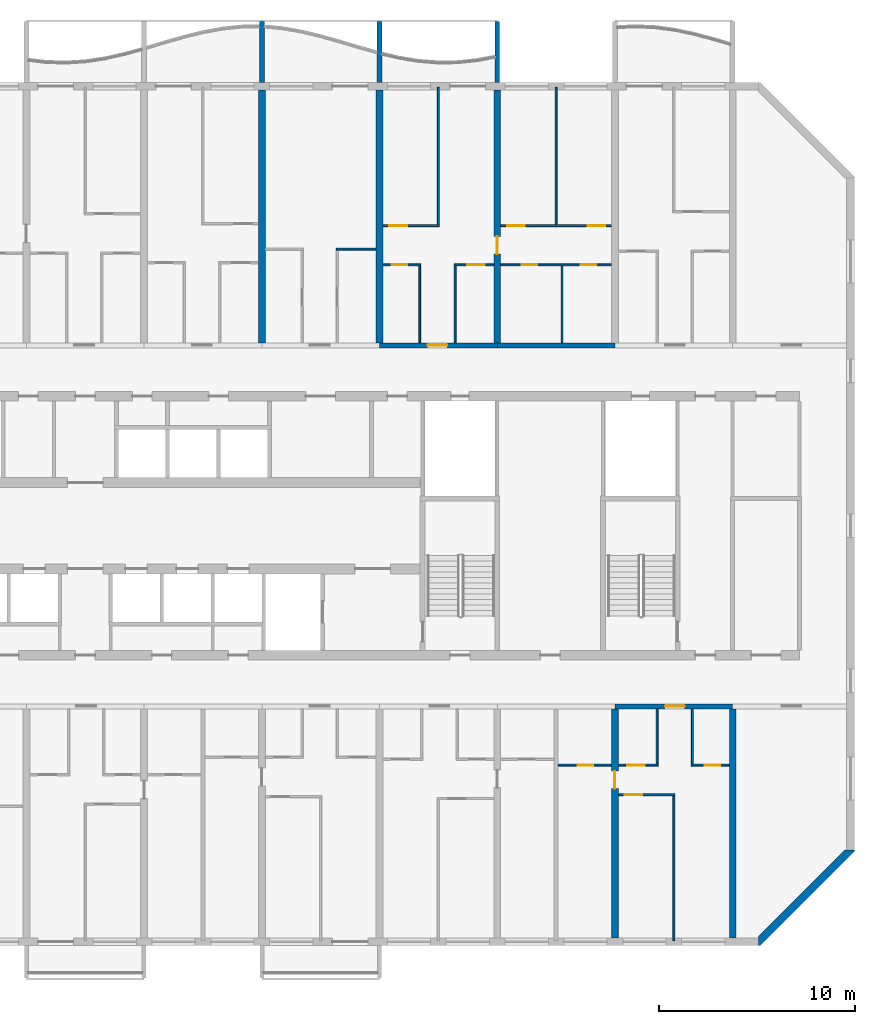
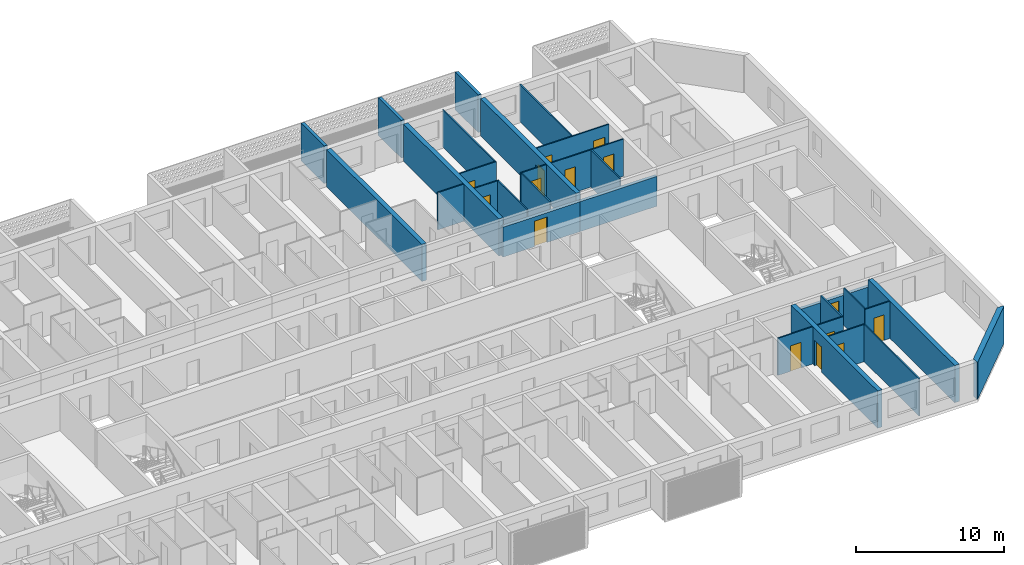
# One storey, part 12 of 24: 30 walls, 15 doors, 15 openings.
"""IFC4 building model written with IfcOpenShell, lengths in metres."""

from ifc_helpers import new_model, si_unit, direction, frame, frame_2d, origin, place, context, subcontext, project, spatial, polyline, rectangle, outline, extrude, source, transform, mapped, material, layer, layer_set, type_object, element, fill, save


model = new_model("IFC4")

# Units and contexts
model_context = context("Model", 3, precision=1e-05, world=origin(), true_north=direction((0.0, 1.0)))
body_context = subcontext(model_context, "Body", "Model", "MODEL_VIEW")
ifc_project = project(units=[si_unit("LENGTHUNIT", "METRE"), si_unit("AREAUNIT", "SQUARE_METRE"), si_unit("VOLUMEUNIT", "CUBIC_METRE"), si_unit("PLANEANGLEUNIT", "RADIAN"), si_unit("MASSUNIT", "GRAM", prefix="KILO")], contexts=[model_context])

# Site, building, storey
site_placement = place(None, origin())
site = spatial("IfcSite", under=ifc_project, at=site_placement, CompositionType="ELEMENT")
building_placement = place(site_placement, origin())
building = spatial("IfcBuilding", under=site, at=building_placement, Name="Poui Terraces", CompositionType="ELEMENT")
storey_placement = place(building_placement, frame((0.0, 0.0, 109.199951171875)))
storey = spatial("IfcBuildingStorey", under=building, at=storey_placement, Name="L30", CompositionType="ELEMENT", Elevation=109.199951171875)

# Wall, opening, door
ifc_material_1 = material(Name="Concrete 65 MPa", Category="concrete")
ifc_layer_1 = layer(ifc_material_1, 0.25)
ifc_layer_set_1 = layer_set([ifc_layer_1], Name="Concrete 65 MPa")
wall_type_1 = type_object("IfcWallType", Name="CORRIDOR WALL 250 65MPa", PredefinedType="SHEAR", material=ifc_layer_set_1)
wall_1_placement = place(storey_placement, frame((78.0, 12.0, 0.0), z_axis=(0.0, 0.0, 1.0), x_axis=(1.0, 0.0, 0.0)))
wall_1 = element("IfcWall", 1, at=wall_1_placement, inside=storey, type_object=wall_type_1, Name="CORRIDOR WALL LINE B BAY 12", PredefinedType="SHEAR", context=body_context, shape_type="SweptSolid", body=[
    extrude(rectangle(XDim=6.0, YDim=0.25, at=frame_2d((3.0, 0.0))), origin(), (0.0, 0.0, 1.0), 2.4599609375),
])
opening_1_placement = place(wall_1_placement, frame((2.550048828125, 0.0, 0.0)))
opening_1 = element("IfcOpeningElement", 2, at=opening_1_placement, cuts=wall_1, Name="Opening FD30S", PredefinedType="OPENING", context=body_context, shape_type="SweptSolid", body=[
    extrude(rectangle(XDim=1.0, YDim=2.10009765625, at=frame_2d((0.5, 1.050048828125))), frame((0.0, 0.135009765625, 0.0), z_axis=(0.0, -1.0, 0.0), x_axis=(1.0, 0.0, 0.0)), (0.0, 0.0, 1.0), 0.27001953125),
])
ifc_material_2 = material(Name="Steel fire door", Category="steel")
door_type_1 = type_object("IfcDoorType", Name="FLAT ENTRANCE DOOR 1000 X 2100", OperationType="NOTDEFINED", PredefinedType="DOOR", material=ifc_material_2)
door_1_placement = place(opening_1_placement, frame((1.0, 0.0, 0.0), z_axis=(0.0, 0.0, 1.0), x_axis=(-1.0, 0.0, 0.0)))
door_1 = element("IfcDoor", 3, at=door_1_placement, inside=storey, type_object=door_type_1, Name="FLAT ENTRANCE DOOR 117", OperationType="SINGLE_SWING_LEFT", OverallHeight=2.10009765625, OverallWidth=1.0, PredefinedType="DOOR", context=body_context, shape_type="SweptSolid", body=[
    extrude(rectangle(XDim=1.0, YDim=2.10009765625, at=frame_2d((0.5, 1.050048828125))), frame((0.0, 0.02490234375, 0.0), z_axis=(0.0, -1.0, 0.0), x_axis=(1.0, 0.0, 0.0)), (0.0, 0.0, 1.0), 0.050048828125),
])
fill(opening_1, door_1)

wall_2_placement = place(storey_placement, frame((66.0, 30.39990234375, 0.0), z_axis=(0.0, 0.0, 1.0), x_axis=(1.0, 0.0, 0.0)))
wall_2 = element("IfcWall", 4, at=wall_2_placement, inside=storey, type_object=wall_type_1, Name="CORRIDOR WALL LINE E BAY 10", PredefinedType="SHEAR", context=body_context, shape_type="SweptSolid", body=[
    extrude(rectangle(XDim=6.0, YDim=0.25, at=frame_2d((3.0, 0.0))), origin(), (0.0, 0.0, 1.0), 2.4599609375),
])
opening_2_placement = place(wall_2_placement, frame((2.449951171875, 0.0, 0.0)))
opening_2 = element("IfcOpeningElement", 5, at=opening_2_placement, cuts=wall_2, Name="Opening FD30S", PredefinedType="OPENING", context=body_context, shape_type="SweptSolid", body=[
    extrude(rectangle(XDim=1.0, YDim=2.10009765625, at=frame_2d((0.5, 1.050048828125))), frame((0.0, 0.135009765625, 0.0), z_axis=(0.0, -1.0, 0.0), x_axis=(1.0, 0.0, 0.0)), (0.0, 0.0, 1.0), 0.27001953125),
])
door_2_placement = place(opening_2_placement, origin())
door_2 = element("IfcDoor", 6, at=door_2_placement, inside=storey, type_object=door_type_1, Name="FLAT ENTRANCE DOOR 067", OperationType="SINGLE_SWING_LEFT", OverallHeight=2.10009765625, OverallWidth=1.0, PredefinedType="DOOR", context=body_context, shape_type="SweptSolid", body=[
    extrude(rectangle(XDim=1.0, YDim=2.10009765625, at=frame_2d((0.5, 1.050048828125))), frame((0.0, 0.02490234375, 0.0), z_axis=(0.0, -1.0, 0.0), x_axis=(1.0, 0.0, 0.0)), (0.0, 0.0, 1.0), 0.050048828125),
])
fill(opening_2, door_2)

# Walls
wall_3_placement = place(storey_placement, frame((72.0, 30.39990234375, 0.0), z_axis=(0.0, 0.0, 1.0), x_axis=(1.0, 0.0, 0.0)))
element("IfcWall", 7, at=wall_3_placement, inside=storey, type_object=wall_type_1, Name="CORRIDOR WALL LINE E BAY 11", PredefinedType="SHEAR", context=body_context, shape_type="SweptSolid", body=[
    extrude(rectangle(XDim=6.0, YDim=0.25, at=frame_2d((3.0, 0.0))), origin(), (0.0, 0.0, 1.0), 2.4599609375),
])
ifc_layer_2 = layer(ifc_material_1, 0.35009765625)
ifc_layer_set_2 = layer_set([ifc_layer_2], Name="Concrete 65 MPa")
wall_type_2 = type_object("IfcWallType", Name="CROSS WALL 350 65MPa", PredefinedType="SHEAR", material=ifc_layer_set_2)
for number, where, z_axis, x_axis, name in (
    (8, (60.0, 30.52490234375, 0.0), (0.0, 0.0, 1.0), (0.0, 1.0, 0.0), "CROSS WALL LINE 11 NORTH"),
    (9, (66.0, 30.52490234375, 0.0), (0.0, 0.0, 1.0), (0.0, 1.0, 0.0), "CROSS WALL LINE 12 NORTH"),
):
    element("IfcWall", number, at=place(storey_placement, frame(where, z_axis=z_axis, x_axis=x_axis)), inside=storey, type_object=wall_type_2, Name=name, PredefinedType="SHEAR", context=body_context, shape_type="SweptSolid", body=[
        extrude(rectangle(XDim=12.875, YDim=0.35009765625, at=frame_2d((6.4375, 0.0))), origin(), (0.0, 0.0, 1.0), 3.06005859375),
    ])

# Wall, opening, door
wall_4_placement = place(storey_placement, frame((72.0, 30.52490234375, 0.0), z_axis=(0.0, 0.0, 1.0), x_axis=(0.0, 1.0, 0.0)))
wall_4 = element("IfcWall", 10, at=wall_4_placement, inside=storey, type_object=wall_type_2, Name="CROSS WALL LINE 13 NORTH", PredefinedType="SHEAR", context=body_context, shape_type="SweptSolid", body=[
    extrude(rectangle(XDim=12.875, YDim=0.35009765625, at=frame_2d((6.4375, 0.0))), origin(), (0.0, 0.0, 1.0), 3.06005859375),
])
opening_3_placement = place(wall_4_placement, frame((4.52490234375, 0.0, 0.0)))
opening_3 = element("IfcOpeningElement", 11, at=opening_3_placement, cuts=wall_4, Name="Opening D90", PredefinedType="OPENING", context=body_context, shape_type="SweptSolid", body=[
    extrude(rectangle(XDim=0.89990234375, YDim=2.10009765625, at=frame_2d((0.449951171875, 1.050048828125))), frame((0.0, 0.18505859375, 0.0), z_axis=(0.0, -1.0, 0.0), x_axis=(1.0, 0.0, 0.0)), (0.0, 0.0, 1.0), 0.3701171875),
])
ifc_material_3 = material(Name="Solid core timber door", Category="wood")
door_type_2 = type_object("IfcDoorType", Name="INTERNAL DOOR 900 X 2100", OperationType="NOTDEFINED", PredefinedType="DOOR", material=ifc_material_3)
door_3_placement = place(opening_3_placement, origin())
door_3 = element("IfcDoor", 12, at=door_3_placement, inside=storey, type_object=door_type_2, Name="INTERNAL DOOR 069", OperationType="SINGLE_SWING_LEFT", OverallHeight=2.10009765625, OverallWidth=0.89990234375, PredefinedType="DOOR", context=body_context, shape_type="SweptSolid", body=[
    extrude(rectangle(XDim=0.89990234375, YDim=2.10009765625, at=frame_2d((0.449951171875, 1.050048828125))), frame((0.0, 0.02490234375, 0.0), z_axis=(0.0, -1.0, 0.0), x_axis=(1.0, 0.0, 0.0)), (0.0, 0.0, 1.0), 0.050048828125),
])
fill(opening_3, door_3)

wall_5_placement = place(storey_placement, frame((78.0, 0.199951171875, 0.0), z_axis=(0.0, 0.0, 1.0), x_axis=(0.0, 1.0, 0.0)))
wall_5 = element("IfcWall", 13, at=wall_5_placement, inside=storey, type_object=wall_type_2, Name="CROSS WALL LINE 14 SOUTH", PredefinedType="SHEAR", context=body_context, shape_type="SweptSolid", body=[
    extrude(rectangle(XDim=11.675048828125, YDim=0.35009765625, at=frame_2d((5.83740234375, 0.0))), origin(), (0.0, 0.0, 1.0), 3.06005859375),
])
opening_4_placement = place(wall_5_placement, frame((7.60009765625, 0.0, 0.0)))
opening_4 = element("IfcOpeningElement", 14, at=opening_4_placement, cuts=wall_5, Name="Opening D90", PredefinedType="OPENING", context=body_context, shape_type="SweptSolid", body=[
    extrude(rectangle(XDim=0.89990234375, YDim=2.10009765625, at=frame_2d((0.449951171875, 1.050048828125))), frame((0.0, 0.18505859375, 0.0), z_axis=(0.0, -1.0, 0.0), x_axis=(1.0, 0.0, 0.0)), (0.0, 0.0, 1.0), 0.3701171875),
])
door_4_placement = place(opening_4_placement, origin())
door_4 = element("IfcDoor", 15, at=door_4_placement, inside=storey, type_object=door_type_2, Name="INTERNAL DOOR 114", OperationType="SINGLE_SWING_RIGHT", OverallHeight=2.10009765625, OverallWidth=0.89990234375, PredefinedType="DOOR", context=body_context, shape_type="SweptSolid", body=[
    extrude(rectangle(XDim=0.89990234375, YDim=2.10009765625, at=frame_2d((0.449951171875, 1.050048828125))), frame((0.0, 0.02490234375, 0.0), z_axis=(0.0, -1.0, 0.0), x_axis=(1.0, 0.0, 0.0)), (0.0, 0.0, 1.0), 0.050048828125),
])
fill(opening_4, door_4)

# Wall
wall_6_placement = place(storey_placement, frame((84.0, 0.199951171875, 0.0), z_axis=(0.0, 0.0, 1.0), x_axis=(0.0, 1.0, 0.0)))
element("IfcWall", 16, at=wall_6_placement, inside=storey, type_object=wall_type_2, Name="CROSS WALL LINE 15 SOUTH", PredefinedType="SHEAR", context=body_context, shape_type="SweptSolid", body=[
    extrude(rectangle(XDim=11.675048828125, YDim=0.35009765625, at=frame_2d((5.83740234375, 0.0))), origin(), (0.0, 0.0, 1.0), 3.06005859375),
])

# Wall, opening, door
ifc_material_4 = material(Name="Plasterboard partition")
ifc_layer_3 = layer(ifc_material_4, 0.10009765625)
ifc_layer_set_3 = layer_set([ifc_layer_3], Name="Plasterboard partition")
wall_type_3 = type_object("IfcWallType", Name="FLAT PARTITION 100", PredefinedType="PARTITIONING", material=ifc_layer_set_3)
wall_7_placement = place(storey_placement, frame((78.18505859375, 7.5, 0.0), z_axis=(0.0, 0.0, 1.0), x_axis=(1.0, 0.0, 0.0)))
wall_7 = element("IfcWall", 17, at=wall_7_placement, inside=storey, type_object=wall_type_3, Name="FLAT PARTITION 100", PredefinedType="PARTITIONING", context=body_context, shape_type="SweptSolid", body=[
    extrude(rectangle(XDim=2.864990234375, YDim=0.10009765625, at=frame_2d((1.4326171875, 0.0))), origin(), (0.0, 0.0, 1.0), 3.06005859375),
])
opening_5_placement = place(wall_7_placement, frame((0.31494140625, 0.0, 0.0)))
opening_5 = element("IfcOpeningElement", 18, at=opening_5_placement, cuts=wall_7, Name="Opening D90", PredefinedType="OPENING", context=body_context, shape_type="SweptSolid", body=[
    extrude(rectangle(XDim=0.89990234375, YDim=2.10009765625, at=frame_2d((0.449951171875, 1.050048828125))), frame((0.0, 0.06005859375, 0.0), z_axis=(0.0, -1.0, 0.0), x_axis=(1.0, 0.0, 0.0)), (0.0, 0.0, 1.0), 0.1201171875),
])
door_5_placement = place(opening_5_placement, origin())
door_5 = element("IfcDoor", 19, at=door_5_placement, inside=storey, type_object=door_type_2, Name="INTERNAL DOOR 115", OperationType="SINGLE_SWING_RIGHT", OverallHeight=2.10009765625, OverallWidth=0.89990234375, PredefinedType="DOOR", context=body_context, shape_type="SweptSolid", body=[
    extrude(rectangle(XDim=0.89990234375, YDim=2.10009765625, at=frame_2d((0.449951171875, 1.050048828125))), frame((0.0, 0.02490234375, 0.0), z_axis=(0.0, -1.0, 0.0), x_axis=(1.0, 0.0, 0.0)), (0.0, 0.0, 1.0), 0.050048828125),
])
fill(opening_5, door_5)

wall_8_placement = place(storey_placement, frame((75.10009765625, 9.0, 0.0), z_axis=(0.0, 0.0, 1.0), x_axis=(1.0, 0.0, 0.0)))
wall_8 = element("IfcWall", 20, at=wall_8_placement, inside=storey, type_object=wall_type_3, Name="FLAT PARTITION 100", PredefinedType="PARTITIONING", context=body_context, shape_type="SweptSolid", body=[
    extrude(rectangle(XDim=2.71484375, YDim=0.10009765625, at=frame_2d((1.357421875, 0.0))), origin(), (0.0, 0.0, 1.0), 3.06005859375),
])
opening_6_placement = place(wall_8_placement, frame((1.0, 0.0, 0.0)))
opening_6 = element("IfcOpeningElement", 21, at=opening_6_placement, cuts=wall_8, Name="Opening D80", PredefinedType="OPENING", context=body_context, shape_type="SweptSolid", body=[
    extrude(rectangle(XDim=0.800048828125, YDim=2.10009765625, at=frame_2d((0.39990234375, 1.050048828125))), frame((0.0, 0.06005859375, 0.0), z_axis=(0.0, -1.0, 0.0), x_axis=(1.0, 0.0, 0.0)), (0.0, 0.0, 1.0), 0.1201171875),
])
door_type_3 = type_object("IfcDoorType", Name="BATHROOM, LAUNDRY AND STORE DOOR 800 X 2100", OperationType="NOTDEFINED", PredefinedType="DOOR", material=ifc_material_3)
door_6_placement = place(opening_6_placement, origin())
door_6 = element("IfcDoor", 22, at=door_6_placement, inside=storey, type_object=door_type_3, Name="BATHROOM, LAUNDRY AND STORE DOOR 113", OperationType="SINGLE_SWING_LEFT", OverallHeight=2.10009765625, OverallWidth=0.800048828125, PredefinedType="DOOR", context=body_context, shape_type="SweptSolid", body=[
    extrude(rectangle(XDim=0.800048828125, YDim=2.10009765625, at=frame_2d((0.39990234375, 1.050048828125))), frame((0.0, 0.02490234375, 0.0), z_axis=(0.0, -1.0, 0.0), x_axis=(1.0, 0.0, 0.0)), (0.0, 0.0, 1.0), 0.050048828125),
])
fill(opening_6, door_6)

wall_9_placement = place(storey_placement, frame((78.18505859375, 9.0, 0.0), z_axis=(0.0, 0.0, 1.0), x_axis=(1.0, 0.0, 0.0)))
wall_9 = element("IfcWall", 23, at=wall_9_placement, inside=storey, type_object=wall_type_3, Name="FLAT PARTITION 100", PredefinedType="PARTITIONING", context=body_context, shape_type="SweptSolid", body=[
    extrude(rectangle(XDim=2.014892578125, YDim=0.10009765625, at=frame_2d((1.00732421875, 0.0))), origin(), (0.0, 0.0, 1.0), 3.06005859375),
])
opening_7_placement = place(wall_9_placement, frame((0.43994140625, 0.0, 0.0)))
opening_7 = element("IfcOpeningElement", 24, at=opening_7_placement, cuts=wall_9, Name="Opening D90", PredefinedType="OPENING", context=body_context, shape_type="SweptSolid", body=[
    extrude(rectangle(XDim=0.89990234375, YDim=2.10009765625, at=frame_2d((0.449951171875, 1.050048828125))), frame((0.0, 0.06005859375, 0.0), z_axis=(0.0, -1.0, 0.0), x_axis=(1.0, 0.0, 0.0)), (0.0, 0.0, 1.0), 0.1201171875),
])
door_7_placement = place(opening_7_placement, origin())
door_7 = element("IfcDoor", 25, at=door_7_placement, inside=storey, type_object=door_type_2, Name="INTERNAL DOOR 116", OperationType="SINGLE_SWING_LEFT", OverallHeight=2.10009765625, OverallWidth=0.89990234375, PredefinedType="DOOR", context=body_context, shape_type="SweptSolid", body=[
    extrude(rectangle(XDim=0.89990234375, YDim=2.10009765625, at=frame_2d((0.449951171875, 1.050048828125))), frame((0.0, 0.02490234375, 0.0), z_axis=(0.0, -1.0, 0.0), x_axis=(1.0, 0.0, 0.0)), (0.0, 0.0, 1.0), 0.050048828125),
])
fill(opening_7, door_7)

wall_10_placement = place(storey_placement, frame((81.89990234375, 9.0, 0.0), z_axis=(0.0, 0.0, 1.0), x_axis=(1.0, 0.0, 0.0)))
wall_10 = element("IfcWall", 26, at=wall_10_placement, inside=storey, type_object=wall_type_3, Name="FLAT PARTITION 100", PredefinedType="PARTITIONING", context=body_context, shape_type="SweptSolid", body=[
    extrude(rectangle(XDim=1.9150390625, YDim=0.10009765625, at=frame_2d((0.95751953125, 0.0))), origin(), (0.0, 0.0, 1.0), 3.06005859375),
])
opening_8_placement = place(wall_10_placement, frame((0.675048828125, 0.0, 0.0)))
opening_8 = element("IfcOpeningElement", 27, at=opening_8_placement, cuts=wall_10, Name="Opening D80", PredefinedType="OPENING", context=body_context, shape_type="SweptSolid", body=[
    extrude(rectangle(XDim=0.800048828125, YDim=2.10009765625, at=frame_2d((0.39990234375, 1.050048828125))), frame((0.0, 0.06005859375, 0.0), z_axis=(0.0, -1.0, 0.0), x_axis=(1.0, 0.0, 0.0)), (0.0, 0.0, 1.0), 0.1201171875),
])
door_8_placement = place(opening_8_placement, origin())
door_8 = element("IfcDoor", 28, at=door_8_placement, inside=storey, type_object=door_type_3, Name="BATHROOM, LAUNDRY AND STORE DOOR 118", OperationType="SINGLE_SWING_RIGHT", OverallHeight=2.10009765625, OverallWidth=0.800048828125, PredefinedType="DOOR", context=body_context, shape_type="SweptSolid", body=[
    extrude(rectangle(XDim=0.800048828125, YDim=2.10009765625, at=frame_2d((0.39990234375, 1.050048828125))), frame((0.0, 0.02490234375, 0.0), z_axis=(0.0, -1.0, 0.0), x_axis=(1.0, 0.0, 0.0)), (0.0, 0.0, 1.0), 0.050048828125),
])
fill(opening_8, door_8)

wall_11_placement = place(storey_placement, frame((66.18505859375, 34.5, 0.0), z_axis=(0.0, 0.0, 1.0), x_axis=(1.0, 0.0, 0.0)))
wall_11 = element("IfcWall", 29, at=wall_11_placement, inside=storey, type_object=wall_type_3, Name="FLAT PARTITION 100", PredefinedType="PARTITIONING", context=body_context, shape_type="SweptSolid", body=[
    extrude(rectangle(XDim=1.9150390625, YDim=0.10009765625, at=frame_2d((0.95751953125, 0.0))), origin(), (0.0, 0.0, 1.0), 3.06005859375),
])
opening_9_placement = place(wall_11_placement, frame((0.43994140625, 0.0, 0.0)))
opening_9 = element("IfcOpeningElement", 30, at=opening_9_placement, cuts=wall_11, Name="Opening D80", PredefinedType="OPENING", context=body_context, shape_type="SweptSolid", body=[
    extrude(rectangle(XDim=0.800048828125, YDim=2.10009765625, at=frame_2d((0.39990234375, 1.050048828125))), frame((0.0, 0.06005859375, 0.0), z_axis=(0.0, -1.0, 0.0), x_axis=(1.0, 0.0, 0.0)), (0.0, 0.0, 1.0), 0.1201171875),
])
door_9_placement = place(opening_9_placement, frame((0.800048828125, 0.0, 0.0), z_axis=(0.0, 0.0, 1.0), x_axis=(-1.0, 0.0, 0.0)))
door_9 = element("IfcDoor", 31, at=door_9_placement, inside=storey, type_object=door_type_3, Name="BATHROOM, LAUNDRY AND STORE DOOR 066", OperationType="SINGLE_SWING_RIGHT", OverallHeight=2.10009765625, OverallWidth=0.800048828125, PredefinedType="DOOR", context=body_context, shape_type="SweptSolid", body=[
    extrude(rectangle(XDim=0.800048828125, YDim=2.10009765625, at=frame_2d((0.39990234375, 1.050048828125))), frame((0.0, 0.02490234375, 0.0), z_axis=(0.0, -1.0, 0.0), x_axis=(1.0, 0.0, 0.0)), (0.0, 0.0, 1.0), 0.050048828125),
])
fill(opening_9, door_9)

wall_12_placement = place(storey_placement, frame((69.800048828125, 34.5, 0.0), z_axis=(0.0, 0.0, 1.0), x_axis=(1.0, 0.0, 0.0)))
wall_12 = element("IfcWall", 32, at=wall_12_placement, inside=storey, type_object=wall_type_3, Name="FLAT PARTITION 100", PredefinedType="PARTITIONING", context=body_context, shape_type="SweptSolid", body=[
    extrude(rectangle(XDim=2.014892578125, YDim=0.10009765625, at=frame_2d((1.00732421875, 0.0))), origin(), (0.0, 0.0, 1.0), 3.06005859375),
])
opening_10_placement = place(wall_12_placement, frame((0.675048828125, 0.0, 0.0)))
opening_10 = element("IfcOpeningElement", 33, at=opening_10_placement, cuts=wall_12, Name="Opening D90", PredefinedType="OPENING", context=body_context, shape_type="SweptSolid", body=[
    extrude(rectangle(XDim=0.89990234375, YDim=2.10009765625, at=frame_2d((0.449951171875, 1.050048828125))), frame((0.0, 0.06005859375, 0.0), z_axis=(0.0, -1.0, 0.0), x_axis=(1.0, 0.0, 0.0)), (0.0, 0.0, 1.0), 0.1201171875),
])
door_10_placement = place(opening_10_placement, frame((0.89990234375, 0.0, 0.0), z_axis=(0.0, 0.0, 1.0), x_axis=(-1.0, 0.0, 0.0)))
door_10 = element("IfcDoor", 34, at=door_10_placement, inside=storey, type_object=door_type_2, Name="INTERNAL DOOR 068", OperationType="SINGLE_SWING_LEFT", OverallHeight=2.10009765625, OverallWidth=0.89990234375, PredefinedType="DOOR", context=body_context, shape_type="SweptSolid", body=[
    extrude(rectangle(XDim=0.89990234375, YDim=2.10009765625, at=frame_2d((0.449951171875, 1.050048828125))), frame((0.0, 0.02490234375, 0.0), z_axis=(0.0, -1.0, 0.0), x_axis=(1.0, 0.0, 0.0)), (0.0, 0.0, 1.0), 0.050048828125),
])
fill(opening_10, door_10)

# Wall, openings, doors
wall_13_placement = place(storey_placement, frame((72.18505859375, 34.5, 0.0), z_axis=(0.0, 0.0, 1.0), x_axis=(1.0, 0.0, 0.0)))
wall_13 = element("IfcWall", 35, at=wall_13_placement, inside=storey, type_object=wall_type_3, Name="FLAT PARTITION 100", PredefinedType="PARTITIONING", context=body_context, shape_type="SweptSolid", body=[
    extrude(rectangle(XDim=5.6298828125, YDim=0.10009765625, at=frame_2d((2.81494140625, 0.0))), origin(), (0.0, 0.0, 1.0), 3.06005859375),
])
opening_11_placement = place(wall_13_placement, frame((1.06494140625, 0.0, 0.0)))
opening_11 = element("IfcOpeningElement", 36, at=opening_11_placement, cuts=wall_13, Name="Opening D80", PredefinedType="OPENING", context=body_context, shape_type="SweptSolid", body=[
    extrude(rectangle(XDim=0.800048828125, YDim=2.10009765625, at=frame_2d((0.39990234375, 1.050048828125))), frame((0.0, 0.06005859375, 0.0), z_axis=(0.0, -1.0, 0.0), x_axis=(1.0, 0.0, 0.0)), (0.0, 0.0, 1.0), 0.1201171875),
])
opening_12_placement = place(wall_13_placement, frame((4.06494140625, 0.0, 0.0)))
opening_12 = element("IfcOpeningElement", 37, at=opening_12_placement, cuts=wall_13, Name="Opening D80", PredefinedType="OPENING", context=body_context, shape_type="SweptSolid", body=[
    extrude(rectangle(XDim=0.800048828125, YDim=2.10009765625, at=frame_2d((0.39990234375, 1.050048828125))), frame((0.0, 0.06005859375, 0.0), z_axis=(0.0, -1.0, 0.0), x_axis=(1.0, 0.0, 0.0)), (0.0, 0.0, 1.0), 0.1201171875),
])
door_11_placement = place(opening_11_placement, frame((0.800048828125, 0.0, 0.0), z_axis=(0.0, 0.0, 1.0), x_axis=(-1.0, 0.0, 0.0)))
door_11 = element("IfcDoor", 38, at=door_11_placement, inside=storey, type_object=door_type_3, Name="BATHROOM, LAUNDRY AND STORE DOOR 062", OperationType="SINGLE_SWING_RIGHT", OverallHeight=2.10009765625, OverallWidth=0.800048828125, PredefinedType="DOOR", context=body_context, shape_type="SweptSolid", body=[
    extrude(rectangle(XDim=0.800048828125, YDim=2.10009765625, at=frame_2d((0.39990234375, 1.050048828125))), frame((0.0, 0.02490234375, 0.0), z_axis=(0.0, -1.0, 0.0), x_axis=(1.0, 0.0, 0.0)), (0.0, 0.0, 1.0), 0.050048828125),
])
fill(opening_11, door_11)
door_12_placement = place(opening_12_placement, frame((0.800048828125, 0.0, 0.0), z_axis=(0.0, 0.0, 1.0), x_axis=(-1.0, 0.0, 0.0)))
door_12 = element("IfcDoor", 39, at=door_12_placement, inside=storey, type_object=door_type_3, Name="BATHROOM, LAUNDRY AND STORE DOOR 063", OperationType="SINGLE_SWING_LEFT", OverallHeight=2.10009765625, OverallWidth=0.800048828125, PredefinedType="DOOR", context=body_context, shape_type="SweptSolid", body=[
    extrude(rectangle(XDim=0.800048828125, YDim=2.10009765625, at=frame_2d((0.39990234375, 1.050048828125))), frame((0.0, 0.02490234375, 0.0), z_axis=(0.0, -1.0, 0.0), x_axis=(1.0, 0.0, 0.0)), (0.0, 0.0, 1.0), 0.050048828125),
])
fill(opening_12, door_12)

# Wall
wall_14_placement = place(storey_placement, frame((63.800048828125, 35.300048828125, 0.0), z_axis=(0.0, 0.0, 1.0), x_axis=(1.0, 0.0, 0.0)))
element("IfcWall", 40, at=wall_14_placement, inside=storey, type_object=wall_type_3, Name="FLAT PARTITION 100", PredefinedType="PARTITIONING", context=body_context, shape_type="SweptSolid", body=[
    extrude(rectangle(XDim=2.014892578125, YDim=0.10009765625, at=frame_2d((1.00732421875, 0.0))), origin(), (0.0, 0.0, 1.0), 3.06005859375),
])

# Wall, opening, door
wall_15_placement = place(storey_placement, frame((66.18505859375, 36.5, 0.0), z_axis=(0.0, 0.0, 1.0), x_axis=(1.0, 0.0, 0.0)))
wall_15 = element("IfcWall", 41, at=wall_15_placement, inside=storey, type_object=wall_type_3, Name="FLAT PARTITION 100", PredefinedType="PARTITIONING", context=body_context, shape_type="SweptSolid", body=[
    extrude(rectangle(XDim=2.864990234375, YDim=0.10009765625, at=frame_2d((1.4326171875, 0.0))), origin(), (0.0, 0.0, 1.0), 3.06005859375),
])
opening_13_placement = place(wall_15_placement, frame((0.31494140625, 0.0, 0.0)))
opening_13 = element("IfcOpeningElement", 42, at=opening_13_placement, cuts=wall_15, Name="Opening D90", PredefinedType="OPENING", context=body_context, shape_type="SweptSolid", body=[
    extrude(rectangle(XDim=0.89990234375, YDim=2.10009765625, at=frame_2d((0.449951171875, 1.050048828125))), frame((0.0, 0.06005859375, 0.0), z_axis=(0.0, -1.0, 0.0), x_axis=(1.0, 0.0, 0.0)), (0.0, 0.0, 1.0), 0.1201171875),
])
door_13_placement = place(opening_13_placement, frame((0.89990234375, 0.0, 0.0), z_axis=(0.0, 0.0, 1.0), x_axis=(-1.0, 0.0, 0.0)))
door_13 = element("IfcDoor", 43, at=door_13_placement, inside=storey, type_object=door_type_2, Name="INTERNAL DOOR 065", OperationType="SINGLE_SWING_LEFT", OverallHeight=2.10009765625, OverallWidth=0.89990234375, PredefinedType="DOOR", context=body_context, shape_type="SweptSolid", body=[
    extrude(rectangle(XDim=0.89990234375, YDim=2.10009765625, at=frame_2d((0.449951171875, 1.050048828125))), frame((0.0, 0.02490234375, 0.0), z_axis=(0.0, -1.0, 0.0), x_axis=(1.0, 0.0, 0.0)), (0.0, 0.0, 1.0), 0.050048828125),
])
fill(opening_13, door_13)

# Wall, openings, doors
wall_16_placement = place(storey_placement, frame((72.18505859375, 36.5, 0.0), z_axis=(0.0, 0.0, 1.0), x_axis=(1.0, 0.0, 0.0)))
wall_16 = element("IfcWall", 44, at=wall_16_placement, inside=storey, type_object=wall_type_3, Name="FLAT PARTITION 100", PredefinedType="PARTITIONING", context=body_context, shape_type="SweptSolid", body=[
    extrude(rectangle(XDim=5.6298828125, YDim=0.10009765625, at=frame_2d((2.81494140625, 0.0))), origin(), (0.0, 0.0, 1.0), 3.06005859375),
])
opening_14_placement = place(wall_16_placement, frame((0.31494140625, 0.0, 0.0)))
opening_14 = element("IfcOpeningElement", 45, at=opening_14_placement, cuts=wall_16, Name="Opening D90", PredefinedType="OPENING", context=body_context, shape_type="SweptSolid", body=[
    extrude(rectangle(XDim=0.89990234375, YDim=2.10009765625, at=frame_2d((0.449951171875, 1.050048828125))), frame((0.0, 0.06005859375, 0.0), z_axis=(0.0, -1.0, 0.0), x_axis=(1.0, 0.0, 0.0)), (0.0, 0.0, 1.0), 0.1201171875),
])
opening_15_placement = place(wall_16_placement, frame((4.4150390625, 0.0, 0.0)))
opening_15 = element("IfcOpeningElement", 46, at=opening_15_placement, cuts=wall_16, Name="Opening D90", PredefinedType="OPENING", context=body_context, shape_type="SweptSolid", body=[
    extrude(rectangle(XDim=0.89990234375, YDim=2.10009765625, at=frame_2d((0.449951171875, 1.050048828125))), frame((0.0, 0.06005859375, 0.0), z_axis=(0.0, -1.0, 0.0), x_axis=(1.0, 0.0, 0.0)), (0.0, 0.0, 1.0), 0.1201171875),
])
door_14_placement = place(opening_14_placement, origin())
door_14 = element("IfcDoor", 47, at=door_14_placement, inside=storey, type_object=door_type_2, Name="INTERNAL DOOR 061", OperationType="SINGLE_SWING_LEFT", OverallHeight=2.10009765625, OverallWidth=0.89990234375, PredefinedType="DOOR", context=body_context, shape_type="SweptSolid", body=[
    extrude(rectangle(XDim=0.89990234375, YDim=2.10009765625, at=frame_2d((0.449951171875, 1.050048828125))), frame((0.0, 0.02490234375, 0.0), z_axis=(0.0, -1.0, 0.0), x_axis=(1.0, 0.0, 0.0)), (0.0, 0.0, 1.0), 0.050048828125),
])
fill(opening_14, door_14)
door_15_placement = place(opening_15_placement, origin())
door_15 = element("IfcDoor", 48, at=door_15_placement, inside=storey, type_object=door_type_2, Name="INTERNAL DOOR 064", OperationType="SINGLE_SWING_RIGHT", OverallHeight=2.10009765625, OverallWidth=0.89990234375, PredefinedType="DOOR", context=body_context, shape_type="SweptSolid", body=[
    extrude(rectangle(XDim=0.89990234375, YDim=2.10009765625, at=frame_2d((0.449951171875, 1.050048828125))), frame((0.0, 0.02490234375, 0.0), z_axis=(0.0, -1.0, 0.0), x_axis=(1.0, 0.0, 0.0)), (0.0, 0.0, 1.0), 0.050048828125),
])
fill(opening_15, door_15)

# Walls
wall_17_placement = place(storey_placement, frame((68.050048828125, 30.534912109375, 0.0), z_axis=(0.0, 0.0, 1.0), x_axis=(0.0, 1.0, 0.0)))
element("IfcWall", 49, at=wall_17_placement, inside=storey, type_object=wall_type_3, Name="FLAT PARTITION 100", PredefinedType="PARTITIONING", context=body_context, shape_type="SweptSolid", body=[
    extrude(rectangle(XDim=3.9150390625, YDim=0.10009765625, at=frame_2d((1.95751953125, 0.0))), origin(), (0.0, 0.0, 1.0), 3.06005859375),
])
wall_18_placement = place(storey_placement, frame((69.0, 36.550048828125, 0.0), z_axis=(0.0, 0.0, 1.0), x_axis=(0.0, 1.0, 0.0)))
element("IfcWall", 50, at=wall_18_placement, inside=storey, type_object=wall_type_3, Name="FLAT PARTITION 100", PredefinedType="PARTITIONING", context=body_context, shape_type="SweptSolid", body=[
    extrude(rectangle(XDim=6.989990234375, YDim=0.10009765625, at=frame_2d((3.4951171875, 0.0))), origin(), (0.0, 0.0, 1.0), 3.06005859375),
])
wall_19_placement = place(storey_placement, frame((69.85009765625, 30.534912109375, 0.0), z_axis=(0.0, 0.0, 1.0), x_axis=(0.0, 1.0, 0.0)))
element("IfcWall", 51, at=wall_19_placement, inside=storey, type_object=wall_type_3, Name="FLAT PARTITION 100", PredefinedType="PARTITIONING", context=body_context, shape_type="SweptSolid", body=[
    extrude(rectangle(XDim=3.9150390625, YDim=0.10009765625, at=frame_2d((1.95751953125, 0.0))), origin(), (0.0, 0.0, 1.0), 3.06005859375),
])
wall_20_placement = place(storey_placement, frame((75.0, 36.550048828125, 0.0), z_axis=(0.0, 0.0, 1.0), x_axis=(0.0, 1.0, 0.0)))
element("IfcWall", 52, at=wall_20_placement, inside=storey, type_object=wall_type_3, Name="FLAT PARTITION 100", PredefinedType="PARTITIONING", context=body_context, shape_type="SweptSolid", body=[
    extrude(rectangle(XDim=6.989990234375, YDim=0.10009765625, at=frame_2d((3.4951171875, 0.0))), origin(), (0.0, 0.0, 1.0), 3.06005859375),
])
wall_21_placement = place(storey_placement, frame((75.300048828125, 30.534912109375, 0.0), z_axis=(0.0, 0.0, 1.0), x_axis=(0.0, 1.0, 0.0)))
element("IfcWall", 53, at=wall_21_placement, inside=storey, type_object=wall_type_3, Name="FLAT PARTITION 100", PredefinedType="PARTITIONING", context=body_context, shape_type="SweptSolid", body=[
    extrude(rectangle(XDim=3.9150390625, YDim=0.10009765625, at=frame_2d((1.95751953125, 0.0))), origin(), (0.0, 0.0, 1.0), 3.06005859375),
])
wall_22_placement = place(storey_placement, frame((80.14990234375, 9.050048828125, 0.0), z_axis=(0.0, 0.0, 1.0), x_axis=(0.0, 1.0, 0.0)))
element("IfcWall", 54, at=wall_22_placement, inside=storey, type_object=wall_type_3, Name="FLAT PARTITION 100", PredefinedType="PARTITIONING", context=body_context, shape_type="SweptSolid", body=[
    extrude(rectangle(XDim=2.81494140625, YDim=0.10009765625, at=frame_2d((1.407470703125, 0.0))), origin(), (0.0, 0.0, 1.0), 3.06005859375),
])
wall_23_placement = place(storey_placement, frame((81.0, 0.06005859375, 0.0), z_axis=(0.0, 0.0, 1.0), x_axis=(0.0, 1.0, 0.0)))
element("IfcWall", 55, at=wall_23_placement, inside=storey, type_object=wall_type_3, Name="FLAT PARTITION 100", PredefinedType="PARTITIONING", context=body_context, shape_type="SweptSolid", body=[
    extrude(rectangle(XDim=7.389892578125, YDim=0.10009765625, at=frame_2d((3.69482421875, 0.0))), origin(), (0.0, 0.0, 1.0), 3.06005859375),
])
wall_24_placement = place(storey_placement, frame((81.949951171875, 9.050048828125, 0.0), z_axis=(0.0, 0.0, 1.0), x_axis=(0.0, 1.0, 0.0)))
element("IfcWall", 56, at=wall_24_placement, inside=storey, type_object=wall_type_3, Name="FLAT PARTITION 100", PredefinedType="PARTITIONING", context=body_context, shape_type="SweptSolid", body=[
    extrude(rectangle(XDim=2.81494140625, YDim=0.10009765625, at=frame_2d((1.407470703125, 0.0))), origin(), (0.0, 0.0, 1.0), 3.06005859375),
])
ifc_material_5 = material(Name="Precast concrete 40 MPa", Category="concrete")
ifc_layer_4 = layer(ifc_material_5, 0.39990234375)
ifc_layer_set_4 = layer_set([ifc_layer_4], Name="Precast concrete 40 MPa")
wall_type_4 = type_object("IfcWallType", Name="TERRACOTTA CLAD CHAMFER WALL 400", PredefinedType="STANDARD", material=ifc_layer_set_4)
wall_25_placement = place(storey_placement, origin())
element("IfcWall", 57, at=wall_25_placement, inside=storey, type_object=wall_type_4, Name="CHAMFER WALL CH01", PredefinedType="STANDARD", context=body_context, shape_type="SweptSolid", body=[
    extrude(outline(polyline([(85.317138671875, -0.199951171875), (85.39990234375, -0.199951171875), (90.199951171875, 4.60009765625), (90.199951171875, 4.682861328125), (89.71728515625, 4.682861328125), (85.317138671875, 0.28271484375), (85.317138671875, -0.199951171875)])), origin(), (0.0, 0.0, 1.0), 3.06005859375),
])
ifc_layer_5 = layer(ifc_material_5, 0.25)
ifc_layer_set_5 = layer_set([ifc_layer_5], Name="Precast concrete 40 MPa")
wall_type_5 = type_object("IfcWallType", Name="BALCONY FIN 250", PredefinedType="STANDARD", material=ifc_layer_set_5)
shared_shape = source(origin(), body_context, "Body", "SweptSolid", [
    extrude(outline(polyline([(0.0, 0.0), (0.25, 0.0), (0.25, 3.099853515625), (0.0, 3.099853515625), (0.0, 0.0)])), origin(), (0.0, 0.0, 1.0), 3.10009765625),
])
for number, where, name in (
    (58, (59.875, 43.800048828125, 0.0), "BALCONY FIN"),
    (59, (65.875, 43.800048828125, 0.0), "BALCONY FIN"),
    (60, (71.875, 43.800048828125, 0.0), "BALCONY FIN"),
):
    element("IfcWall", number, at=place(storey_placement, frame(where)), inside=storey, type_object=wall_type_5, Name=name, PredefinedType="STANDARD", context=body_context, shape_type="MappedRepresentation", body=[
        mapped(shared_shape, transform((0.0, 0.0, 0.0))),
    ])

save(model, "model.ifc")
